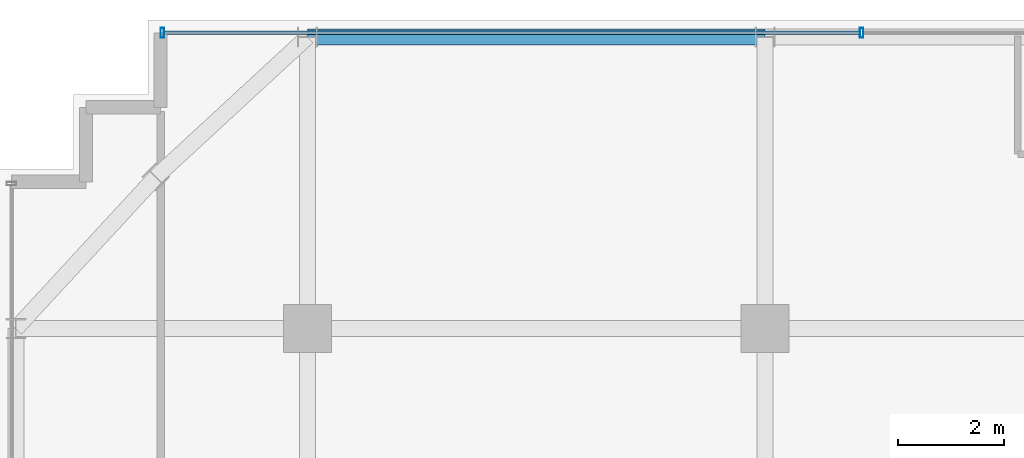
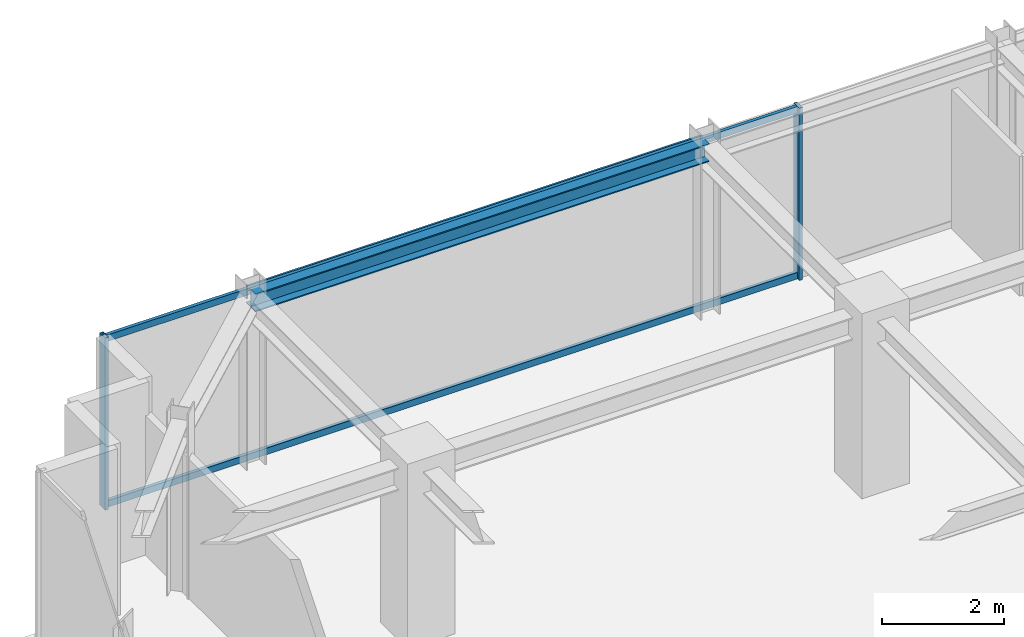
# One storey, part 19 of 32: 4 members, 1 beam, 1 element without a shape of its own.
"""IFC4 building model written with IfcOpenShell, lengths in metres."""

from ifc_helpers import new_model, si_unit, direction, frame, origin, origin_2d, place, context, subcontext, project, spatial, hollow_rectangle, i_section, extrude, source, transform, mapped, material, material_profile, profile_set, type_object, element, aggregate, save


model = new_model("IFC4")

# Units and contexts
model_context = context("Model", 3, precision=1e-05, world=origin(), true_north=direction((0.0, 1.0)))
body_context = subcontext(model_context, "Body", "Model", "MODEL_VIEW")
ifc_project = project(units=[si_unit("LENGTHUNIT", "METRE"), si_unit("AREAUNIT", "SQUARE_METRE"), si_unit("VOLUMEUNIT", "CUBIC_METRE"), si_unit("PLANEANGLEUNIT", "RADIAN"), si_unit("MASSUNIT", "GRAM", prefix="KILO")], contexts=[model_context])

# Site, building, storey
site_placement = place(None, origin())
site = spatial("IfcSite", under=ifc_project, at=site_placement, CompositionType="ELEMENT")
building_placement = place(site_placement, origin())
building = spatial("IfcBuilding", under=site, at=building_placement, Name="Nahalor Promenade Grand Hotel", CompositionType="ELEMENT")
storey_placement = place(building_placement, frame((0.0, 0.0, 285.050048828125)))
storey = spatial("IfcBuildingStorey", under=building, at=storey_placement, Name="L73", CompositionType="ELEMENT", Elevation=285.050048828125)

# Beam
ifc_material_1 = material(Name="Steel S355JR", Category="steel")
ifc_material_profile_1 = material_profile(ifc_material_1, i_section(OverallWidth=0.3, OverallDepth=0.36, WebThickness=0.0125, FlangeThickness=0.0225, at=origin_2d()), Name="HEB 360")
ifc_profile_set_1 = profile_set([ifc_material_profile_1], Name="Steel S355JR")
beam_type = type_object("IfcBeamType", Name="Beam-Spandrel-HEB360", PredefinedType="SPANDREL", material=ifc_profile_set_1)
shared_shape_1 = source(origin(), body_context, "Body", "SweptSolid", [
    extrude(i_section(OverallWidth=0.3, OverallDepth=0.36, WebThickness=0.0125, FlangeThickness=0.0225, at=origin_2d()), origin(), (0.0, 0.0, 1.0), 8.60009765625),
])
beam_placement = place(storey_placement, frame((-17.0, 22.47998046875, 3.27001953125), z_axis=(1.0, 0.0, 0.0), x_axis=(0.0, 1.0, 0.0)))
element("IfcBeam", 1, at=beam_placement, inside=storey, type_object=beam_type, Name="BM-L73-SP-N-0", PredefinedType="SPANDREL", context=body_context, shape_type="MappedRepresentation", body=[
    mapped(shared_shape_1, transform((0.0, 0.0, 0.0), scale=1.0)),
])

# Curtain wall, members
ifc_material_2 = material(Name="Anodised Bronze Aluminium EN AW-6063 T6", Category="aluminium")
curtain_wall_type = type_object("IfcCurtainWallType", Name="CW2 Typical Hotel Flush Bronze Unitised Curtain Wall", PredefinedType="USERDEFINED", material=ifc_material_2)
curtain_wall_placement = place(storey_placement, origin())
curtain_wall = element("IfcCurtainWall", 2, at=curtain_wall_placement, inside=storey, type_object=curtain_wall_type, Name="L73 Curtain Wall CW-L73-N-1", ObjectType="UNITISED_CURTAIN_WALL", PredefinedType="USERDEFINED")
ifc_material_profile_2 = material_profile(ifc_material_2, hollow_rectangle(XDim=0.065, YDim=0.13, WallThickness=0.004, at=origin_2d()), Name="CWT 65x130x4")
ifc_profile_set_2 = profile_set([ifc_material_profile_2], Name="Anodised Bronze Aluminium EN AW-6063 T6")
member_type_1 = type_object("IfcMemberType", Name="CWT2 Typical Bronze Transom 65x130", PredefinedType="USERDEFINED", material=ifc_profile_set_2)
shared_shape_2 = source(origin(), body_context, "Body", "SweptSolid", [
    extrude(hollow_rectangle(XDim=0.065, YDim=0.13, WallThickness=0.004, at=origin_2d()), origin(), (0.0, 0.0, 1.0), 13.075927734375),
])
member_1_placement = place(storey_placement, frame((-19.695068359375, 22.56005859375, 0.06494140625), z_axis=(1.0, 0.0, 0.0), x_axis=(0.0, 1.0, 0.0)))
member_1 = element("IfcMember", 3, at=member_1_placement, type_object=member_type_1, Name="CW-L73-N-1 Transom 0-0", ObjectType="TRANSOM", PredefinedType="USERDEFINED", context=body_context, shape_type="MappedRepresentation", body=[
    mapped(shared_shape_2, transform((0.0, 0.0, 0.0), scale=1.0)),
])
member_2_placement = place(storey_placement, frame((-19.695068359375, 22.56005859375, 3.385009765625), z_axis=(1.0, 0.0, 0.0), x_axis=(0.0, 1.0, 0.0)))
member_2 = element("IfcMember", 4, at=member_2_placement, type_object=member_type_1, Name="CW-L73-N-1 Transom 0-1", ObjectType="TRANSOM", PredefinedType="USERDEFINED", context=body_context, shape_type="MappedRepresentation", body=[
    mapped(shared_shape_2, transform((0.0, 0.0, 0.0), scale=1.0)),
])
ifc_material_profile_3 = material_profile(ifc_material_2, hollow_rectangle(XDim=0.065, YDim=0.18, WallThickness=0.004, at=origin_2d()), Name="CWM 65x180x4")
ifc_profile_set_3 = profile_set([ifc_material_profile_3], Name="Anodised Bronze Aluminium EN AW-6063 T6")
member_type_2 = type_object("IfcMemberType", Name="CWM2 Typical Bronze Mullion 65x180", PredefinedType="MULLION", material=ifc_profile_set_3)
shared_shape_3 = source(origin(), body_context, "Body", "SweptSolid", [
    extrude(hollow_rectangle(XDim=0.065, YDim=0.18, WallThickness=0.004, at=origin_2d()), origin(), (0.0, 0.0, 1.0), 3.449951171875),
])
member_3_placement = place(storey_placement, frame((-19.7275390625, 22.56005859375, 0.0), z_axis=(0.0, 0.0, 1.0), x_axis=(1.0, 0.0, 0.0)))
member_3 = element("IfcMember", 5, at=member_3_placement, type_object=member_type_2, Name="CW-L73-N-1 Mullion 0", PredefinedType="MULLION", context=body_context, shape_type="MappedRepresentation", body=[
    mapped(shared_shape_3, transform((0.0, 0.0, 0.0), scale=1.0)),
])
member_4_placement = place(storey_placement, frame((-6.586669921875, 22.56005859375, 0.0), z_axis=(0.0, 0.0, 1.0), x_axis=(1.0, 0.0, 0.0)))
member_4 = element("IfcMember", 6, at=member_4_placement, type_object=member_type_2, Name="CW-L73-N-1 Mullion 1", PredefinedType="MULLION", context=body_context, shape_type="MappedRepresentation", body=[
    mapped(shared_shape_3, transform((0.0, 0.0, 0.0), scale=1.0)),
])
aggregate(curtain_wall, [member_3, member_4, member_1, member_2])

save(model, "model.ifc")
